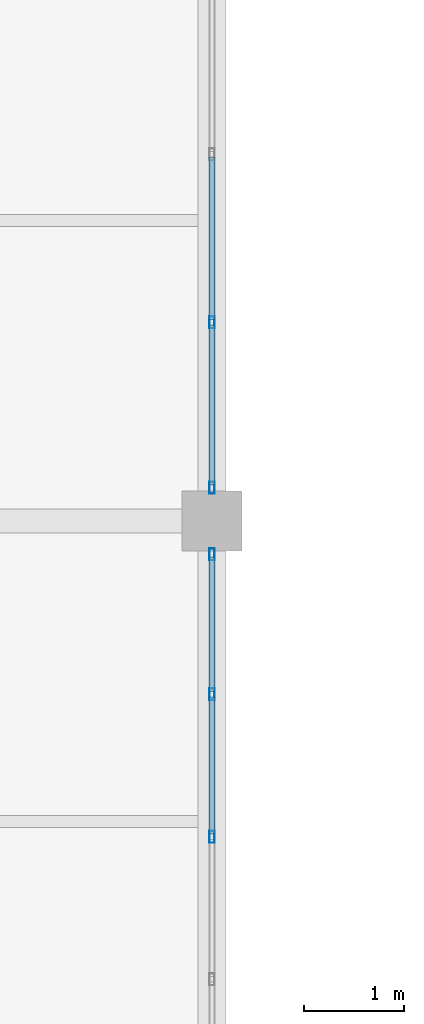
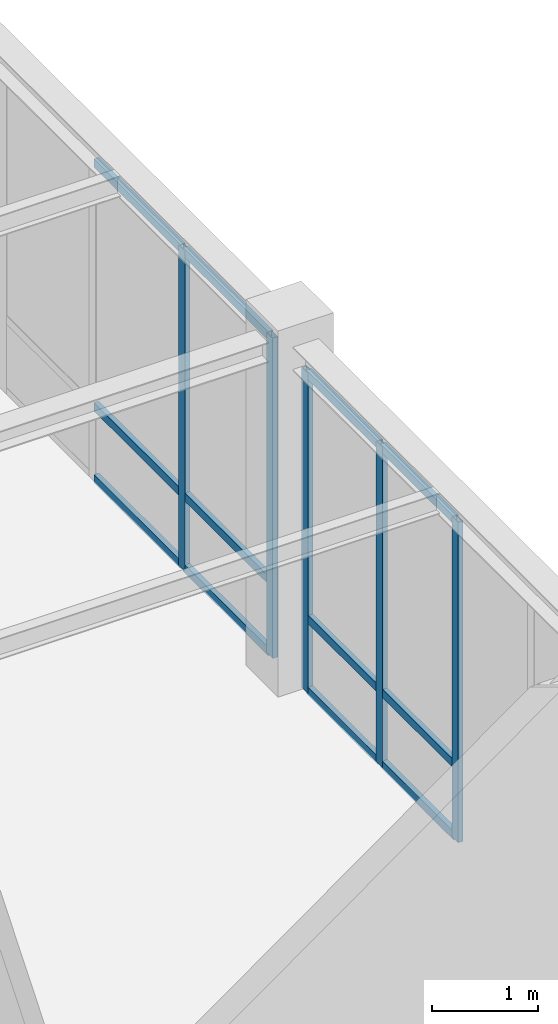
# One storey, part 21 of 97: 17 members, 2 elements without a shape of their own.
"""IFC4 building model written with IfcOpenShell, lengths in metres."""

import ifcopenshell
import ifcopenshell.guid

model = None  # the IFC model being written
_history = None  # IfcOwnerHistory: only IFC2X3 demands one
_inside = {}  # id of a spatial element -> (the spatial element, [elements in it])
_under = {}  # id of a project, library or spatial element -> (it, [spatial elements below it])
_declared = {}  # id of a project -> (the project, [libraries it declares])
_typed = {}  # id of a type object -> (the type object, [elements of that type])
_made_of = {}  # id of a material, layer set ... -> (it, [elements and type objects made of it])


def new_model(schema):
    """Start an empty IFC model of exactly this schema.

    Asked for "IFC4X3", IfcOpenShell would pick the latest addendum, in which some entities
    have other attributes; the version numbers below select the first issue.
    IFC2X3 requires an IfcOwnerHistory on every rooted entity: one is made here for all.
    """
    global model, _history
    if schema == "IFC4X3":
        model = ifcopenshell.file(schema_version=(4, 3, 0, 0))
    else:
        model = ifcopenshell.file(schema=schema)
    _inside.clear()
    _under.clear()
    _declared.clear()
    _typed.clear()
    _made_of.clear()
    _history = None
    if model.schema == "IFC2X3":
        org = make("IfcOrganization", Name="unknown")
        user = make(
            "IfcPersonAndOrganization",
            ThePerson=make("IfcPerson", FamilyName="unknown"),
            TheOrganization=org,
        )
        app = make(
            "IfcApplication",
            ApplicationDeveloper=org,
            Version="unknown",
            ApplicationFullName="unknown",
            ApplicationIdentifier="unknown",
        )
        _history = make(
            "IfcOwnerHistory",
            OwningUser=user,
            OwningApplication=app,
            ChangeAction="ADDED",
            CreationDate=0,
        )
    return model


def make(cls, **values):
    """One entity of the class cls with the attributes given. An attribute that is None is left unset."""
    return model.create_entity(
        cls, **{name: value for name, value in values.items() if value is not None}
    )


def rooted(cls, **values):
    """An entity with a GlobalId (a new one), such as an element, a storey or a relation."""
    return make(cls, GlobalId=ifcopenshell.guid.new(), OwnerHistory=_history, **values)


def si_unit(unit_type, name, prefix=None):
    """IfcSIUnit, for example si_unit("LENGTHUNIT", "METRE", prefix="MILLI")."""
    return make("IfcSIUnit", UnitType=unit_type, Prefix=prefix, Name=name)


def assignment(units):
    """IfcUnitAssignment: the units of a project."""
    return None if units is None else make("IfcUnitAssignment", Units=units)


def point(xyz):
    """IfcCartesianPoint."""
    return None if xyz is None else make("IfcCartesianPoint", Coordinates=xyz)


def direction(xyz):
    """IfcDirection."""
    return None if xyz is None else make("IfcDirection", DirectionRatios=xyz)


def frame(location, z_axis=None, x_axis=None):
    """IfcAxis2Placement3D, a coordinate frame: its origin and axes. An axis left out is left unset."""
    return make(
        "IfcAxis2Placement3D",
        Location=point(location),
        Axis=direction(z_axis),
        RefDirection=direction(x_axis),
    )


def frame_2d(location, x_axis=None):
    """IfcAxis2Placement2D, a coordinate frame in the plane: its origin and x axis."""
    return make(
        "IfcAxis2Placement2D", Location=point(location), RefDirection=direction(x_axis)
    )


def origin():
    """The frame at (0, 0, 0) with its axes left unset."""
    return frame((0.0, 0.0, 0.0))


def origin_2d():
    """The frame at (0, 0) in the plane with its x axis left unset."""
    return frame_2d((0.0, 0.0))


def place(relative_to, where):
    """IfcLocalPlacement: puts the frame where relative to a parent placement (None: the world)."""
    return make(
        "IfcLocalPlacement", PlacementRelTo=relative_to, RelativePlacement=where
    )


def context(
    kind, dimensions, precision=None, world=None, true_north=None, identifier=None
):
    """IfcGeometricRepresentationContext, for example the 3D "Model" context."""
    return make(
        "IfcGeometricRepresentationContext",
        ContextIdentifier=identifier,
        ContextType=kind,
        CoordinateSpaceDimension=dimensions,
        Precision=precision,
        WorldCoordinateSystem=world,
        TrueNorth=true_north,
    )


def subcontext(parent, identifier, kind, view, scale=None):
    """IfcGeometricRepresentationSubContext, for example "Body" below "Model"."""
    return make(
        "IfcGeometricRepresentationSubContext",
        ContextIdentifier=identifier,
        ContextType=kind,
        ParentContext=parent,
        TargetScale=scale,
        TargetView=view,
    )


def project(units=None, contexts=None):
    """IfcProject with its units and contexts."""
    return rooted(
        "IfcProject",
        Name="project",
        RepresentationContexts=contexts,
        UnitsInContext=assignment(units),
    )


def spatial(cls, under=None, at=None, **own):
    """A site, building, storey or space (cls), placed at a placement, below another one or the project."""
    s = rooted(cls, ObjectPlacement=at, **own)
    if under is not None:
        _under.setdefault(under.id(), (under, []))[1].append(s)
    return s


def profile(cls, at=None, kind="AREA", **sizes):
    """A parametric profile (cls). Its sizes go by their IFC names, for example OverallWidth=200.0."""
    return make(cls, ProfileType=kind, Position=at, **sizes)


def hollow_rectangle(**sizes):
    """IfcRectangleHollowProfileDef."""
    return profile("IfcRectangleHollowProfileDef", **sizes)


def extrude(swept, where, along, depth):
    """IfcExtrudedAreaSolid: the profile swept, set in the frame where, extruded along a direction by depth."""
    return make(
        "IfcExtrudedAreaSolid",
        SweptArea=swept,
        Position=where,
        ExtrudedDirection=direction(along),
        Depth=depth,
    )


def shape(context_of_items, identifier, shape_type, items):
    """IfcShapeRepresentation: the items that make up one representation, for example the "Body"."""
    return make(
        "IfcShapeRepresentation",
        ContextOfItems=context_of_items,
        RepresentationIdentifier=identifier,
        RepresentationType=shape_type,
        Items=items,
    )


def material(Name=None, Category=None):
    """IfcMaterial."""
    return make("IfcMaterial", Name=Name, Category=Category)


def material_profile(
    of_material, cross_section, Name=None, Category=None, Priority=None
):
    """IfcMaterialProfile: a cross section and its material."""
    return make(
        "IfcMaterialProfile",
        Name=Name,
        Material=of_material,
        Profile=cross_section,
        Priority=Priority,
        Category=Category,
    )


def profile_set(profiles, Name=None, composite=None):
    """IfcMaterialProfileSet."""
    return make(
        "IfcMaterialProfileSet",
        Name=Name,
        MaterialProfiles=profiles,
        CompositeProfile=composite,
    )


def made_of(thing, what):
    """Note that an element or type object is made of a material, layer set ...; save() writes the relation."""
    if what is not None:
        _made_of.setdefault(what.id(), (what, []))[1].append(thing)
    return thing


def type_object(cls, material=None, **own):
    """A type object (cls), such as IfcWallType, which elements share."""
    return made_of(rooted(cls, **own), material)


def element(
    cls,
    number,
    at=None,
    inside=None,
    cuts=None,
    type_object=None,
    material=None,
    context=None,
    identifier="Body",
    shape_type=None,
    held_by="IfcProductDefinitionShape",
    body=None,
    shapes=None,
    **own,
):
    """One element of the class cls, such as IfcWall. Its Tag is "e" and its number.

    at: its placement. inside: the storey or other place that contains it. cuts: it is an
    opening in that element (IfcRelVoidsElement). A single representation is given by context,
    identifier, shape_type and body (its items); several are given by shapes. held_by: the class
    of the entity that holds the representations. save() writes the other relations.
    """
    e = rooted(cls, Tag="e%d" % number, ObjectPlacement=at, **own)
    if body is not None:
        shapes = [shape(context, identifier, shape_type, body)]
    if shapes is not None:
        e.Representation = make(held_by, Representations=shapes)
    if inside is not None:
        _inside.setdefault(inside.id(), (inside, []))[1].append(e)
    if cuts is not None:
        rooted(
            "IfcRelVoidsElement", RelatingBuildingElement=cuts, RelatedOpeningElement=e
        )
    if type_object is not None:
        _typed.setdefault(type_object.id(), (type_object, []))[1].append(e)
    return made_of(e, material)


def aggregate(whole, parts):
    """IfcRelAggregates: a whole, such as a stair, and the parts it consists of."""
    return rooted("IfcRelAggregates", RelatingObject=whole, RelatedObjects=parts)


def save(model, path):
    """Write the relations noted so far, then the file.

    IfcRelAggregates (storeys below a building ...), IfcRelContainedInSpatialStructure (elements
    in a storey), IfcRelDefinesByType, IfcRelAssociatesMaterial and IfcRelDeclares: one each for
    every whole, place, type object, material and project.
    """
    for whole, parts in _under.values():
        aggregate(whole, parts)
    for where, things in _inside.values():
        rooted(
            "IfcRelContainedInSpatialStructure",
            RelatedElements=things,
            RelatingStructure=where,
        )
    for kind, things in _typed.values():
        rooted("IfcRelDefinesByType", RelatedObjects=things, RelatingType=kind)
    for what, things in _made_of.values():
        rooted("IfcRelAssociatesMaterial", RelatedObjects=things, RelatingMaterial=what)
    for by, libraries in _declared.values():
        rooted("IfcRelDeclares", RelatingContext=by, RelatedDefinitions=libraries)
    model.write(path)


model = new_model("IFC4")

# Units and contexts
model_context = context("Model", 3, precision=1e-05, world=origin(), true_north=direction((0.0, 1.0)))
body_context = subcontext(model_context, "Body", "Model", "MODEL_VIEW")
ifc_project = project(units=[si_unit("LENGTHUNIT", "METRE"), si_unit("AREAUNIT", "SQUARE_METRE"), si_unit("VOLUMEUNIT", "CUBIC_METRE"), si_unit("PLANEANGLEUNIT", "RADIAN"), si_unit("MASSUNIT", "GRAM", prefix="KILO")], contexts=[model_context])

# Site, building, storey
site_placement = place(None, origin())
site = spatial("IfcSite", under=ifc_project, at=site_placement, CompositionType="ELEMENT")
building_placement = place(site_placement, origin())
building = spatial("IfcBuilding", under=site, at=building_placement, Name="Lykobir Media Centre", CompositionType="ELEMENT")
storey_placement = place(building_placement, frame((0.0, 0.0, 23.39990234375)))
storey = spatial("IfcBuildingStorey", under=building, at=storey_placement, Name="L05", CompositionType="ELEMENT", Elevation=23.39990234375)

# Curtain wall, members
ifc_material = material(Name="Anodized Aluminium AW-6060", Category="aluminium")
curtain_wall_type = type_object("IfcCurtainWallType", Name="CW-COURT-B", PredefinedType="NOTDEFINED", material=ifc_material)
curtain_wall_1_placement = place(storey_placement, origin())
curtain_wall_1 = element("IfcCurtainWall", 1, at=curtain_wall_1_placement, inside=storey, type_object=curtain_wall_type, Name="Curtain wall CW2-L05-0194", PredefinedType="NOTDEFINED")
ifc_material_profile_1 = material_profile(ifc_material, hollow_rectangle(XDim=0.054931640625, YDim=0.1201171875, WallThickness=0.003173828125, at=origin_2d()), Name="ALU MULLION 55x120")
ifc_profile_set_1 = profile_set([ifc_material_profile_1], Name="Anodized Aluminium AW-6060")
member_type_1 = type_object("IfcMemberType", Name="CWM-120", PredefinedType="MULLION", material=ifc_profile_set_1)
member_1_placement = place(storey_placement, frame((36.0, 26.66748046875, 0.0), z_axis=(0.0, 0.0, 1.0), x_axis=(1.0, 0.0, 0.0)))
member_1 = element("IfcMember", 2, at=member_1_placement, type_object=member_type_1, Name="CW2-L05-0194 mullion 1", PredefinedType="MULLION", context=body_context, shape_type="SweptSolid", body=[
    extrude(hollow_rectangle(XDim=0.054931640625, YDim=0.1201171875, WallThickness=0.003173828125, at=origin_2d()), origin(), (0.0, 0.0, 1.0), 3.675048828125),
])
member_2_placement = place(storey_placement, frame((36.0, 25.271240234375, 0.0), z_axis=(0.0, 0.0, 1.0), x_axis=(1.0, 0.0, 0.0)))
member_2 = element("IfcMember", 3, at=member_2_placement, type_object=member_type_1, Name="CW2-L05-0194 mullion 2", PredefinedType="MULLION", context=body_context, shape_type="SweptSolid", body=[
    extrude(hollow_rectangle(XDim=0.054931640625, YDim=0.1201171875, WallThickness=0.003173828125, at=origin_2d()), origin(), (0.0, 0.0, 1.0), 3.675048828125),
])
member_3_placement = place(storey_placement, frame((36.0, 23.847412109375, 0.0), z_axis=(0.0, 0.0, 1.0), x_axis=(1.0, 0.0, 0.0)))
member_3 = element("IfcMember", 4, at=member_3_placement, type_object=member_type_1, Name="CW2-L05-0194 mullion 3", PredefinedType="MULLION", context=body_context, shape_type="SweptSolid", body=[
    extrude(hollow_rectangle(XDim=0.054931640625, YDim=0.1201171875, WallThickness=0.003173828125, at=origin_2d()), origin(), (0.0, 0.0, 1.0), 3.675048828125),
])

curtain_wall_2_placement = place(storey_placement, origin())
curtain_wall_2 = element("IfcCurtainWall", 5, at=curtain_wall_2_placement, inside=storey, type_object=curtain_wall_type, Name="Curtain wall CW2-L05-0195", PredefinedType="NOTDEFINED")
member_4_placement = place(storey_placement, frame((36.0, 28.98291015625, 0.0), z_axis=(0.0, 0.0, 1.0), x_axis=(1.0, 0.0, 0.0)))
member_4 = element("IfcMember", 6, at=member_4_placement, type_object=member_type_1, Name="CW2-L05-0195 mullion 5", PredefinedType="MULLION", context=body_context, shape_type="SweptSolid", body=[
    extrude(hollow_rectangle(XDim=0.054931640625, YDim=0.1201171875, WallThickness=0.003173828125, at=origin_2d()), origin(), (0.0, 0.0, 1.0), 3.675048828125),
])
member_5_placement = place(storey_placement, frame((36.0, 27.33251953125, 0.0), z_axis=(0.0, 0.0, 1.0), x_axis=(1.0, 0.0, 0.0)))
member_5 = element("IfcMember", 7, at=member_5_placement, type_object=member_type_1, Name="CW2-L05-0195 mullion 6", PredefinedType="MULLION", context=body_context, shape_type="SweptSolid", body=[
    extrude(hollow_rectangle(XDim=0.054931640625, YDim=0.1201171875, WallThickness=0.003173828125, at=origin_2d()), origin(), (0.0, 0.0, 1.0), 3.675048828125),
])

# Member
ifc_material_profile_2 = material_profile(ifc_material, hollow_rectangle(XDim=0.054931640625, YDim=0.094970703125, WallThickness=0.0029296875, at=origin_2d()), Name="ALU TRANSOM 55x95")
ifc_profile_set_2 = profile_set([ifc_material_profile_2], Name="Anodized Aluminium AW-6060")
member_type_2 = type_object("IfcMemberType", Name="CWT-095", PredefinedType="USERDEFINED", material=ifc_profile_set_2)
member_6_placement = place(storey_placement, frame((36.0, 26.639892578125, 0.027587890625), z_axis=(0.0, -1.0, 0.0), x_axis=(1.0, 0.0, 0.0)))
member_6 = element("IfcMember", 8, at=member_6_placement, type_object=member_type_2, Name="CW2-L05-0194 transom 1.1", ObjectType="TRANSOM", PredefinedType="USERDEFINED", context=body_context, shape_type="SweptSolid", body=[
    extrude(hollow_rectangle(XDim=0.054931640625, YDim=0.094970703125, WallThickness=0.0029296875, at=origin_2d()), origin(), (0.0, 0.0, 1.0), 1.341064453125),
])

member_7_placement = place(storey_placement, frame((36.0, 26.639892578125, 0.85009765625), z_axis=(0.0, -1.0, 0.0), x_axis=(1.0, 0.0, 0.0)))
member_7 = element("IfcMember", 9, at=member_7_placement, type_object=member_type_2, Name="CW2-L05-0194 transom 1.2", ObjectType="TRANSOM", PredefinedType="USERDEFINED", context=body_context, shape_type="SweptSolid", body=[
    extrude(hollow_rectangle(XDim=0.054931640625, YDim=0.094970703125, WallThickness=0.0029296875, at=origin_2d()), origin(), (0.0, 0.0, 1.0), 1.341064453125),
])

member_8_placement = place(storey_placement, frame((36.0, 26.639892578125, 3.647705078125), z_axis=(0.0, -1.0, 0.0), x_axis=(1.0, 0.0, 0.0)))
member_8 = element("IfcMember", 10, at=member_8_placement, type_object=member_type_2, Name="CW2-L05-0194 transom 1.3", ObjectType="TRANSOM", PredefinedType="USERDEFINED", context=body_context, shape_type="SweptSolid", body=[
    extrude(hollow_rectangle(XDim=0.054931640625, YDim=0.094970703125, WallThickness=0.0029296875, at=origin_2d()), origin(), (0.0, 0.0, 1.0), 1.341064453125),
])

member_9_placement = place(storey_placement, frame((36.0, 25.24365234375, 0.027587890625), z_axis=(0.0, -1.0, 0.0), x_axis=(1.0, 0.0, 0.0)))
member_9 = element("IfcMember", 11, at=member_9_placement, type_object=member_type_2, Name="CW2-L05-0194 transom 2.1", ObjectType="TRANSOM", PredefinedType="USERDEFINED", context=body_context, shape_type="SweptSolid", body=[
    extrude(hollow_rectangle(XDim=0.054931640625, YDim=0.094970703125, WallThickness=0.0029296875, at=origin_2d()), origin(), (0.0, 0.0, 1.0), 1.36865234375),
])

member_10_placement = place(storey_placement, frame((36.0, 25.24365234375, 0.85009765625), z_axis=(0.0, -1.0, 0.0), x_axis=(1.0, 0.0, 0.0)))
member_10 = element("IfcMember", 12, at=member_10_placement, type_object=member_type_2, Name="CW2-L05-0194 transom 2.2", ObjectType="TRANSOM", PredefinedType="USERDEFINED", context=body_context, shape_type="SweptSolid", body=[
    extrude(hollow_rectangle(XDim=0.054931640625, YDim=0.094970703125, WallThickness=0.0029296875, at=origin_2d()), origin(), (0.0, 0.0, 1.0), 1.36865234375),
])

member_11_placement = place(storey_placement, frame((36.0, 25.24365234375, 3.647705078125), z_axis=(0.0, -1.0, 0.0), x_axis=(1.0, 0.0, 0.0)))
member_11 = element("IfcMember", 13, at=member_11_placement, type_object=member_type_2, Name="CW2-L05-0194 transom 2.3", ObjectType="TRANSOM", PredefinedType="USERDEFINED", context=body_context, shape_type="SweptSolid", body=[
    extrude(hollow_rectangle(XDim=0.054931640625, YDim=0.094970703125, WallThickness=0.0029296875, at=origin_2d()), origin(), (0.0, 0.0, 1.0), 1.36865234375),
])

aggregate(curtain_wall_1, [member_1, member_2, member_3, member_6, member_7, member_8, member_9, member_10, member_11])

member_12_placement = place(storey_placement, frame((36.0, 30.633544921875, 0.027587890625), z_axis=(0.0, -1.0, 0.0), x_axis=(1.0, 0.0, 0.0)))
member_12 = element("IfcMember", 14, at=member_12_placement, type_object=member_type_2, Name="CW2-L05-0195 transom 4.1", ObjectType="TRANSOM", PredefinedType="USERDEFINED", context=body_context, shape_type="SweptSolid", body=[
    extrude(hollow_rectangle(XDim=0.054931640625, YDim=0.094970703125, WallThickness=0.0029296875, at=origin_2d()), origin(), (0.0, 0.0, 1.0), 1.623046875),
])

member_13_placement = place(storey_placement, frame((36.0, 30.633544921875, 0.85009765625), z_axis=(0.0, -1.0, 0.0), x_axis=(1.0, 0.0, 0.0)))
member_13 = element("IfcMember", 15, at=member_13_placement, type_object=member_type_2, Name="CW2-L05-0195 transom 4.2", ObjectType="TRANSOM", PredefinedType="USERDEFINED", context=body_context, shape_type="SweptSolid", body=[
    extrude(hollow_rectangle(XDim=0.054931640625, YDim=0.094970703125, WallThickness=0.0029296875, at=origin_2d()), origin(), (0.0, 0.0, 1.0), 1.623046875),
])

member_14_placement = place(storey_placement, frame((36.0, 30.633544921875, 3.647705078125), z_axis=(0.0, -1.0, 0.0), x_axis=(1.0, 0.0, 0.0)))
member_14 = element("IfcMember", 16, at=member_14_placement, type_object=member_type_2, Name="CW2-L05-0195 transom 4.3", ObjectType="TRANSOM", PredefinedType="USERDEFINED", context=body_context, shape_type="SweptSolid", body=[
    extrude(hollow_rectangle(XDim=0.054931640625, YDim=0.094970703125, WallThickness=0.0029296875, at=origin_2d()), origin(), (0.0, 0.0, 1.0), 1.623046875),
])

member_15_placement = place(storey_placement, frame((36.0, 28.95556640625, 0.027587890625), z_axis=(0.0, -1.0, 0.0), x_axis=(1.0, 0.0, 0.0)))
member_15 = element("IfcMember", 17, at=member_15_placement, type_object=member_type_2, Name="CW2-L05-0195 transom 5.1", ObjectType="TRANSOM", PredefinedType="USERDEFINED", context=body_context, shape_type="SweptSolid", body=[
    extrude(hollow_rectangle(XDim=0.054931640625, YDim=0.094970703125, WallThickness=0.0029296875, at=origin_2d()), origin(), (0.0, 0.0, 1.0), 1.595458984375),
])

member_16_placement = place(storey_placement, frame((36.0, 28.95556640625, 0.85009765625), z_axis=(0.0, -1.0, 0.0), x_axis=(1.0, 0.0, 0.0)))
member_16 = element("IfcMember", 18, at=member_16_placement, type_object=member_type_2, Name="CW2-L05-0195 transom 5.2", ObjectType="TRANSOM", PredefinedType="USERDEFINED", context=body_context, shape_type="SweptSolid", body=[
    extrude(hollow_rectangle(XDim=0.054931640625, YDim=0.094970703125, WallThickness=0.0029296875, at=origin_2d()), origin(), (0.0, 0.0, 1.0), 1.595458984375),
])

member_17_placement = place(storey_placement, frame((36.0, 28.95556640625, 3.647705078125), z_axis=(0.0, -1.0, 0.0), x_axis=(1.0, 0.0, 0.0)))
member_17 = element("IfcMember", 19, at=member_17_placement, type_object=member_type_2, Name="CW2-L05-0195 transom 5.3", ObjectType="TRANSOM", PredefinedType="USERDEFINED", context=body_context, shape_type="SweptSolid", body=[
    extrude(hollow_rectangle(XDim=0.054931640625, YDim=0.094970703125, WallThickness=0.0029296875, at=origin_2d()), origin(), (0.0, 0.0, 1.0), 1.595458984375),
])

aggregate(curtain_wall_2, [member_4, member_5, member_12, member_13, member_14, member_15, member_16, member_17])

save(model, "model.ifc")
